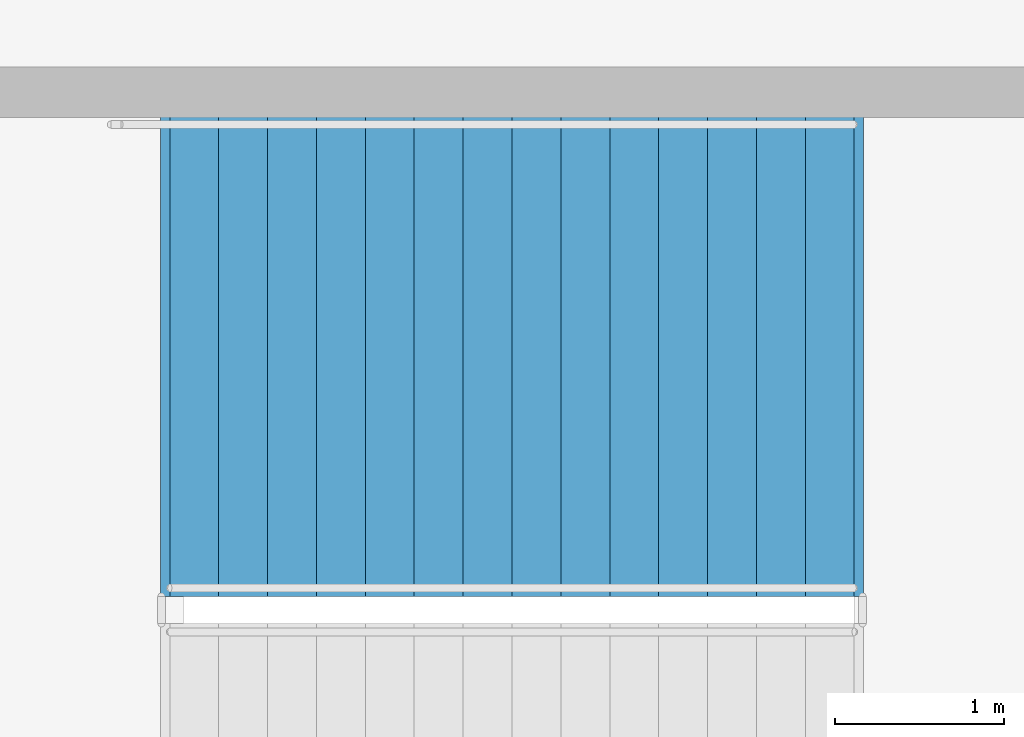
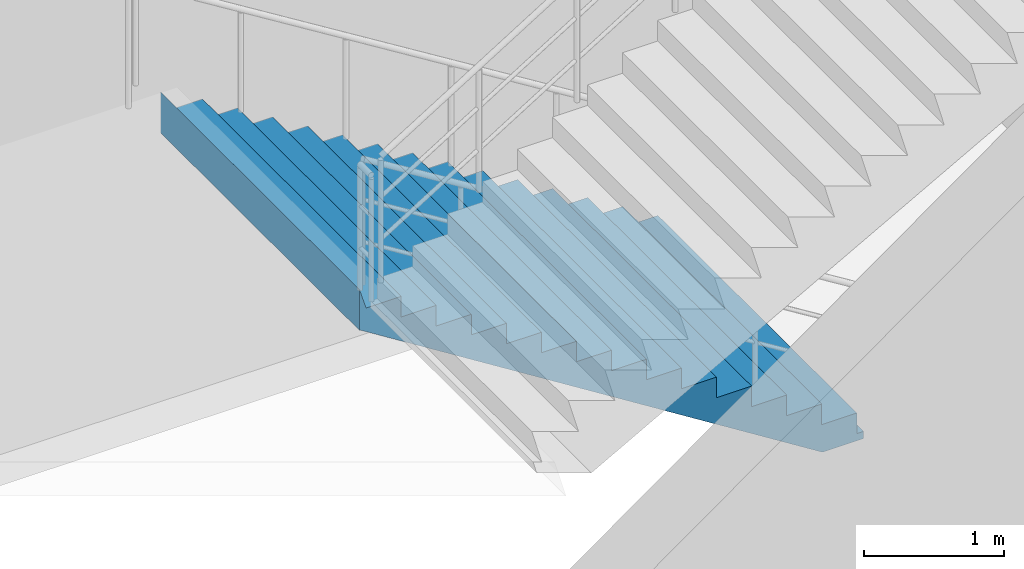
# One storey, part 77 of 93: 1 stair flight, 1 element without a shape of its own.
"""IFC4 building model written with IfcOpenShell, lengths in metres."""

from ifc_helpers import new_model, si_unit, direction, frame, origin, place, context, subcontext, project, spatial, polyline, outline, extrude, material, type_object, element, aggregate, save


model = new_model("IFC4")

# Units and contexts
model_context = context("Model", 3, precision=1e-05, world=origin(), true_north=direction((0.0, 1.0)))
body_context = subcontext(model_context, "Body", "Model", "MODEL_VIEW")
ifc_project = project(units=[si_unit("LENGTHUNIT", "METRE"), si_unit("AREAUNIT", "SQUARE_METRE"), si_unit("VOLUMEUNIT", "CUBIC_METRE"), si_unit("PLANEANGLEUNIT", "RADIAN"), si_unit("MASSUNIT", "GRAM", prefix="KILO")], contexts=[model_context])

# Site, building, storey
site_placement = place(None, origin())
site = spatial("IfcSite", under=ifc_project, at=site_placement, CompositionType="ELEMENT")
building_placement = place(site_placement, origin())
building = spatial("IfcBuilding", under=site, at=building_placement, Name="Cinderbank Siding Concert Hall", CompositionType="ELEMENT")
storey_placement = place(building_placement, origin())
storey = spatial("IfcBuildingStorey", under=building, at=storey_placement, Name="L01", CompositionType="ELEMENT", Elevation=0.0)

# Stair, stair flight
ifc_material = material(Name="Reinforced concrete AS 3600 N50 (50 MPa)", Category="concrete")
stair_type = type_object("IfcStairType", Name="STR-J Dogleg Exit Stair 2850mm", PredefinedType="HALF_TURN_STAIR", material=ifc_material)
stair_placement = place(storey_placement, origin())
stair = element("IfcStair", 1, at=stair_placement, inside=storey, type_object=stair_type, Name="L01 East Link South Exit Stair ST-12", PredefinedType="HALF_TURN_STAIR")
stair_flight_type = type_object("IfcStairFlightType", Name="SFL-J Concrete Stair Flight 2850mm", PredefinedType="STRAIGHT", material=ifc_material)
stair_flight_placement = place(storey_placement, frame((160.85009765625, 63.284912109375, 0.0), z_axis=(0.0, 0.0, 1.0), x_axis=(-1.0, 0.0, 0.0)))
stair_flight = element("IfcStairFlight", 2, at=stair_flight_placement, type_object=stair_flight_type, Name="ST-12 flight 1", NumberOfRisers=15, NumberOfTreads=14, PredefinedType="STRAIGHT", RiserHeight=0.18, TreadLength=0.29, context=body_context, shape_type="SweptSolid", body=[
    extrude(outline(polyline([(0.0, 0.0), (0.0, 0.179931640625), (0.2900390625, 0.179931640625), (0.2900390625, 0.360107421875), (0.580078125, 0.360107421875), (0.580078125, 0.5400390625), (0.8701171875, 0.5400390625), (0.8701171875, 0.719970703125), (1.159912109375, 0.719970703125), (1.159912109375, 0.89990234375), (1.449951171875, 0.89990234375), (1.449951171875, 1.080078125), (1.739990234375, 1.080078125), (1.739990234375, 1.260009765625), (2.030029296875, 1.260009765625), (2.030029296875, 1.43994140625), (2.320068359375, 1.43994140625), (2.320068359375, 1.6201171875), (2.610107421875, 1.6201171875), (2.610107421875, 1.800048828125), (2.89990234375, 1.800048828125), (2.89990234375, 1.97998046875), (3.18994140625, 1.97998046875), (3.18994140625, 2.159912109375), (3.47998046875, 2.159912109375), (3.47998046875, 2.340087890625), (3.77001953125, 2.340087890625), (3.77001953125, 2.52001953125), (4.06005859375, 2.52001953125), (4.114990234375, 2.699951171875), (4.114990234375, 2.343505859375), (4.11474609375, 2.34375), (4.11474609375, 2.343994140625), (4.11474609375, 2.34423828125), (4.11474609375, 2.344482421875), (4.11474609375, 2.3447265625), (4.11474609375, 2.344970703125), (4.11474609375, 2.34521484375), (4.11474609375, 2.345458984375), (4.11474609375, 2.345703125), (4.11474609375, 2.345947265625), (4.11474609375, 2.34619140625), (4.11474609375, 2.346435546875), (4.114501953125, 2.346435546875), (4.114501953125, 2.34619140625), (4.114501953125, 2.345947265625), (4.114501953125, 2.345703125), (4.114501953125, 2.345458984375), (4.114501953125, 2.34521484375), (4.114501953125, 2.344970703125), (4.114501953125, 2.3447265625), (4.114501953125, 2.344482421875), (4.114501953125, 2.34423828125), (4.114501953125, 2.343994140625), (4.114501953125, 2.34375), (4.114501953125, 2.343505859375), (4.1142578125, 2.34375), (4.1142578125, 2.343994140625), (4.1142578125, 2.34423828125), (4.1142578125, 2.344482421875), (4.1142578125, 2.3447265625), (4.1142578125, 2.344970703125), (4.1142578125, 2.34521484375), (4.1142578125, 2.345458984375), (4.1142578125, 2.345703125), (4.1142578125, 2.345947265625), (4.1142578125, 2.34619140625), (4.1142578125, 2.346435546875), (4.114013671875, 2.346435546875), (4.114013671875, 2.34619140625), (4.114013671875, 2.345947265625), (4.114013671875, 2.345703125), (4.114013671875, 2.345458984375), (4.114013671875, 2.34521484375), (4.114013671875, 2.344970703125), (4.114013671875, 2.3447265625), (4.114013671875, 2.344482421875), (4.114013671875, 2.34423828125), (4.114013671875, 2.343994140625), (4.114013671875, 2.34375), (4.114013671875, 2.343505859375), (4.11376953125, 2.34375), (4.11376953125, 2.343994140625), (4.11376953125, 2.34423828125), (4.11376953125, 2.344482421875), (4.11376953125, 2.3447265625), (4.11376953125, 2.344970703125), (4.11376953125, 2.34521484375), (4.11376953125, 2.345458984375), (4.11376953125, 2.345703125), (4.11376953125, 2.345947265625), (4.11376953125, 2.34619140625), (4.11376953125, 2.346435546875), (4.113525390625, 2.346435546875), (4.113525390625, 2.34619140625), (4.113525390625, 2.345947265625), (4.113525390625, 2.345703125), (4.113525390625, 2.345458984375), (4.113525390625, 2.34521484375), (4.113525390625, 2.344970703125), (4.113525390625, 2.3447265625), (4.113525390625, 2.344482421875), (4.113525390625, 2.34423828125), (4.113525390625, 2.343994140625), (4.113525390625, 2.34375), (4.113525390625, 2.343505859375), (4.11328125, 2.34375), (4.11328125, 2.343994140625), (4.11328125, 2.34423828125), (4.11328125, 2.344482421875), (4.11328125, 2.3447265625), (4.11328125, 2.344970703125), (4.11328125, 2.34521484375), (4.11328125, 2.345458984375), (4.11328125, 2.345703125), (4.11328125, 2.345947265625), (4.11328125, 2.34619140625), (4.11328125, 2.346435546875), (4.113037109375, 2.346435546875), (4.113037109375, 2.34619140625), (4.113037109375, 2.345947265625), (4.113037109375, 2.345703125), (4.113037109375, 2.345458984375), (4.113037109375, 2.34521484375), (4.113037109375, 2.344970703125), (4.113037109375, 2.3447265625), (4.113037109375, 2.344482421875), (4.113037109375, 2.34423828125), (4.113037109375, 2.343994140625), (4.113037109375, 2.34375), (4.113037109375, 2.343505859375), (4.11279296875, 2.34375), (4.11279296875, 2.343994140625), (4.11279296875, 2.34423828125), (4.11279296875, 2.344482421875), (4.11279296875, 2.3447265625), (4.11279296875, 2.344970703125), (4.11279296875, 2.34521484375), (4.11279296875, 2.345458984375), (4.11279296875, 2.345703125), (4.11279296875, 2.345947265625), (4.11279296875, 2.34619140625), (4.11279296875, 2.346435546875), (4.112548828125, 2.346435546875), (4.112548828125, 2.34619140625), (4.112548828125, 2.345947265625), (4.112548828125, 2.345703125), (4.112548828125, 2.345458984375), (4.112548828125, 2.34521484375), (4.112548828125, 2.344970703125), (4.112548828125, 2.3447265625), (4.112548828125, 2.344482421875), (4.112548828125, 2.34423828125), (4.112548828125, 2.343994140625), (4.112548828125, 2.34375), (4.112548828125, 2.343505859375), (4.1123046875, 2.34375), (4.1123046875, 2.343994140625), (4.1123046875, 2.34423828125), (4.1123046875, 2.344482421875), (4.1123046875, 2.3447265625), (4.1123046875, 2.344970703125), (4.1123046875, 2.34521484375), (4.1123046875, 2.345458984375), (4.1123046875, 2.345703125), (4.1123046875, 2.345947265625), (4.1123046875, 2.34619140625), (4.1123046875, 2.346435546875), (4.112060546875, 2.346435546875), (4.112060546875, 2.34619140625), (4.112060546875, 2.345947265625), (4.112060546875, 2.345703125), (4.112060546875, 2.345458984375), (4.112060546875, 2.34521484375), (4.112060546875, 2.344970703125), (4.112060546875, 2.3447265625), (4.112060546875, 2.344482421875), (4.112060546875, 2.34423828125), (4.112060546875, 2.343994140625), (4.112060546875, 2.34375), (4.112060546875, 2.343505859375), (4.11181640625, 2.34375), (4.11181640625, 2.343994140625), (4.11181640625, 2.34423828125), (4.11181640625, 2.344482421875), (4.11181640625, 2.3447265625), (4.11181640625, 2.344970703125), (4.11181640625, 2.34521484375), (4.11181640625, 2.345458984375), (4.11181640625, 2.345703125), (4.11181640625, 2.345947265625), (4.11181640625, 2.34619140625), (4.11181640625, 2.346435546875), (4.111572265625, 2.346435546875), (4.111572265625, 2.34619140625), (4.111572265625, 2.345947265625), (4.111572265625, 2.345703125), (4.111572265625, 2.345458984375), (4.111572265625, 2.34521484375), (4.111572265625, 2.344970703125), (4.111572265625, 2.3447265625), (4.111572265625, 2.344482421875), (4.111572265625, 2.34423828125), (4.111572265625, 2.343994140625), (4.111572265625, 2.34375), (4.111572265625, 2.343505859375), (4.111328125, 2.34375), (4.111328125, 2.343994140625), (4.111328125, 2.34423828125), (4.111328125, 2.344482421875), (4.111328125, 2.3447265625), (4.111328125, 2.344970703125), (4.111328125, 2.34521484375), (4.111328125, 2.345458984375), (4.111328125, 2.345703125), (4.111328125, 2.345947265625), (4.111328125, 2.34619140625), (4.111328125, 2.346435546875), (4.111083984375, 2.346435546875), (4.111083984375, 2.34619140625), (4.111083984375, 2.345947265625), (4.111083984375, 2.345703125), (4.111083984375, 2.345458984375), (4.111083984375, 2.34521484375), (4.111083984375, 2.344970703125), (4.111083984375, 2.3447265625), (4.111083984375, 2.344482421875), (4.111083984375, 2.34423828125), (4.111083984375, 2.343994140625), (4.111083984375, 2.34375), (4.111083984375, 2.343505859375), (4.11083984375, 2.34375), (4.11083984375, 2.343994140625), (4.11083984375, 2.34423828125), (4.11083984375, 2.344482421875), (4.11083984375, 2.3447265625), (4.11083984375, 2.344970703125), (4.11083984375, 2.34521484375), (4.11083984375, 2.345458984375), (4.11083984375, 2.345703125), (4.11083984375, 2.345947265625), (4.11083984375, 2.34619140625), (4.11083984375, 2.346435546875), (4.110595703125, 2.346435546875), (4.110595703125, 2.34619140625), (4.110595703125, 2.345947265625), (4.110595703125, 2.345703125), (4.110595703125, 2.345458984375), (4.110595703125, 2.34521484375), (4.110595703125, 2.344970703125), (4.110595703125, 2.3447265625), (4.110595703125, 2.344482421875), (4.110595703125, 2.34423828125), (4.110595703125, 2.343994140625), (4.110595703125, 2.34375), (4.110595703125, 2.343505859375), (4.1103515625, 2.34375), (4.1103515625, 2.343994140625), (4.1103515625, 2.34423828125), (4.1103515625, 2.344482421875), (4.1103515625, 2.3447265625), (4.1103515625, 2.344970703125), (4.1103515625, 2.34521484375), (4.1103515625, 2.345458984375), (4.1103515625, 2.345703125), (4.1103515625, 2.345947265625), (4.1103515625, 2.34619140625), (4.1103515625, 2.346435546875), (4.110107421875, 2.346435546875), (4.110107421875, 2.34619140625), (4.110107421875, 2.345947265625), (4.110107421875, 2.345703125), (4.110107421875, 2.345458984375), (4.110107421875, 2.34521484375), (4.110107421875, 2.344970703125), (4.110107421875, 2.3447265625), (4.110107421875, 2.344482421875), (4.110107421875, 2.34423828125), (4.110107421875, 2.343994140625), (4.110107421875, 2.34375), (4.110107421875, 2.343505859375), (4.10986328125, 2.34375), (4.10986328125, 2.343994140625), (4.10986328125, 2.34423828125), (4.10986328125, 2.344482421875), (4.10986328125, 2.3447265625), (4.10986328125, 2.344970703125), (4.10986328125, 2.34521484375), (4.10986328125, 2.345458984375), (4.10986328125, 2.345703125), (4.10986328125, 2.345947265625), (4.10986328125, 2.34619140625), (4.10986328125, 2.346435546875), (4.109619140625, 2.346435546875), (4.109619140625, 2.34619140625), (4.109619140625, 2.345947265625), (4.109619140625, 2.345703125), (4.109619140625, 2.345458984375), (4.109619140625, 2.34521484375), (4.109619140625, 2.344970703125), (4.109619140625, 2.3447265625), (4.109619140625, 2.344482421875), (4.109619140625, 2.34423828125), (4.109619140625, 2.343994140625), (4.109619140625, 2.34375), (4.109619140625, 2.343505859375), (4.109375, 2.34375), (4.109375, 2.343994140625), (4.109375, 2.34423828125), (4.109375, 2.344482421875), (4.109375, 2.3447265625), (4.109375, 2.344970703125), (4.109375, 2.34521484375), (4.109375, 2.345458984375), (4.109375, 2.345703125), (4.109375, 2.345947265625), (4.109375, 2.34619140625), (4.109375, 2.346435546875), (4.109130859375, 2.346435546875), (4.109130859375, 2.34619140625), (4.109130859375, 2.345947265625), (4.109130859375, 2.345703125), (4.109130859375, 2.345458984375), (4.109130859375, 2.34521484375), (4.109130859375, 2.344970703125), (4.109130859375, 2.3447265625), (4.109130859375, 2.344482421875), (4.109130859375, 2.34423828125), (4.109130859375, 2.343994140625), (4.109130859375, 2.34375), (4.109130859375, 2.343505859375), (4.10888671875, 2.34375), (4.10888671875, 2.343994140625), (4.10888671875, 2.34423828125), (4.10888671875, 2.344482421875), (4.10888671875, 2.3447265625), (4.10888671875, 2.344970703125), (4.10888671875, 2.34521484375), (4.10888671875, 2.345458984375), (4.10888671875, 2.345703125), (4.10888671875, 2.345947265625), (4.10888671875, 2.34619140625), (4.10888671875, 2.346435546875), (4.108642578125, 2.346435546875), (4.108642578125, 2.34619140625), (4.108642578125, 2.345947265625), (4.108642578125, 2.345703125), (4.108642578125, 2.345458984375), (4.108642578125, 2.34521484375), (4.108642578125, 2.344970703125), (4.108642578125, 2.3447265625), (4.108642578125, 2.344482421875), (4.108642578125, 2.34423828125), (4.108642578125, 2.343994140625), (4.108642578125, 2.34375), (4.108642578125, 2.343505859375), (0.2841796875, -0.06396484375), (-0.048583984375, -0.063720703125), (-0.048583984375, -0.0634765625), (-0.048583984375, -0.063232421875), (-0.048583984375, -0.06298828125), (-0.048583984375, -0.062744140625), (-0.048583984375, -0.0625), (-0.048583984375, -0.062255859375), (-0.048583984375, -0.06201171875), (-0.048583984375, -0.061767578125), (-0.048583984375, -0.0615234375), (-0.048583984375, -0.061279296875), (-0.048583984375, -0.06103515625), (-0.048828125, -0.06103515625), (-0.048828125, -0.061279296875), (-0.048828125, -0.0615234375), (-0.048828125, -0.061767578125), (-0.048828125, -0.06201171875), (-0.048828125, -0.062255859375), (-0.048828125, -0.0625), (-0.048828125, -0.062744140625), (-0.048828125, -0.06298828125), (-0.048828125, -0.063232421875), (-0.048828125, -0.0634765625), (-0.048828125, -0.063720703125), (-0.048828125, -0.06396484375), (-0.049072265625, -0.063720703125), (-0.049072265625, -0.0634765625), (-0.049072265625, -0.063232421875), (-0.049072265625, -0.06298828125), (-0.049072265625, -0.062744140625), (-0.049072265625, -0.0625), (-0.049072265625, -0.062255859375), (-0.049072265625, -0.06201171875), (-0.049072265625, -0.061767578125), (-0.049072265625, -0.0615234375), (-0.049072265625, -0.061279296875), (-0.049072265625, -0.06103515625), (-0.04931640625, -0.06103515625), (-0.04931640625, -0.061279296875), (-0.04931640625, -0.0615234375), (-0.04931640625, -0.061767578125), (-0.04931640625, -0.06201171875), (-0.04931640625, -0.062255859375), (-0.04931640625, -0.0625), (-0.04931640625, -0.062744140625), (-0.04931640625, -0.06298828125), (-0.04931640625, -0.063232421875), (-0.04931640625, -0.0634765625), (-0.04931640625, -0.063720703125), (-0.04931640625, -0.06396484375), (-0.049560546875, -0.063720703125), (-0.049560546875, -0.0634765625), (-0.049560546875, -0.063232421875), (-0.049560546875, -0.06298828125), (-0.049560546875, -0.062744140625), (-0.049560546875, -0.0625), (-0.049560546875, -0.062255859375), (-0.049560546875, -0.06201171875), (-0.049560546875, -0.061767578125), (-0.049560546875, -0.0615234375), (-0.049560546875, -0.061279296875), (-0.049560546875, -0.06103515625), (-0.0498046875, -0.06103515625), (-0.0498046875, -0.061279296875), (-0.0498046875, -0.0615234375), (-0.0498046875, -0.061767578125), (-0.0498046875, -0.06201171875), (-0.0498046875, -0.062255859375), (-0.0498046875, -0.0625), (-0.0498046875, -0.062744140625), (-0.0498046875, -0.06298828125), (-0.0498046875, -0.063232421875), (-0.0498046875, -0.0634765625), (-0.0498046875, -0.063720703125), (-0.0498046875, -0.06396484375), (-0.050048828125, -0.063720703125), (-0.050048828125, -0.0634765625), (-0.050048828125, -0.063232421875), (-0.050048828125, -0.06298828125), (-0.050048828125, -0.062744140625), (-0.050048828125, -0.0625), (-0.050048828125, -0.062255859375), (-0.050048828125, -0.06201171875), (-0.050048828125, -0.061767578125), (-0.050048828125, -0.0615234375), (-0.050048828125, -0.061279296875), (-0.050048828125, -0.06103515625), (-0.05029296875, -0.06103515625), (-0.05029296875, -0.061279296875), (-0.05029296875, -0.0615234375), (-0.05029296875, -0.061767578125), (-0.05029296875, -0.06201171875), (-0.05029296875, -0.062255859375), (-0.05029296875, -0.0625), (-0.05029296875, -0.062744140625), (-0.05029296875, -0.06298828125), (-0.05029296875, -0.063232421875), (-0.05029296875, -0.0634765625), (-0.05029296875, -0.063720703125), (-0.05029296875, -0.06396484375), (-0.050537109375, -0.063720703125), (-0.050537109375, -0.0634765625), (-0.050537109375, -0.063232421875), (-0.050537109375, -0.06298828125), (-0.050537109375, -0.062744140625), (-0.050537109375, -0.0625), (-0.050537109375, -0.062255859375), (-0.050537109375, -0.06201171875), (-0.050537109375, -0.061767578125), (-0.050537109375, -0.0615234375), (-0.050537109375, -0.061279296875), (-0.050537109375, -0.06103515625), (-0.05078125, -0.06103515625), (-0.05078125, -0.061279296875), (-0.05078125, -0.0615234375), (-0.05078125, -0.061767578125), (-0.05078125, -0.06201171875), (-0.05078125, -0.062255859375), (-0.05078125, -0.0625), (-0.05078125, -0.062744140625), (-0.05078125, -0.06298828125), (-0.05078125, -0.063232421875), (-0.05078125, -0.0634765625), (-0.05078125, -0.063720703125), (-0.05078125, -0.06396484375), (-0.051025390625, -0.063720703125), (-0.051025390625, -0.0634765625), (-0.051025390625, -0.063232421875), (-0.051025390625, -0.06298828125), (-0.051025390625, -0.062744140625), (-0.051025390625, -0.0625), (-0.051025390625, -0.062255859375), (-0.051025390625, -0.06201171875), (-0.051025390625, -0.061767578125), (-0.051025390625, -0.0615234375), (-0.051025390625, -0.061279296875), (-0.051025390625, -0.06103515625), (-0.05126953125, -0.06103515625), (-0.05126953125, -0.061279296875), (-0.05126953125, -0.0615234375), (-0.05126953125, -0.061767578125), (-0.05126953125, -0.06201171875), (-0.05126953125, -0.062255859375), (-0.05126953125, -0.0625), (-0.05126953125, -0.062744140625), (-0.05126953125, -0.06298828125), (-0.05126953125, -0.063232421875), (-0.05126953125, -0.0634765625), (-0.05126953125, -0.063720703125), (-0.05126953125, -0.06396484375), (-0.051513671875, -0.063720703125), (-0.051513671875, -0.0634765625), (-0.051513671875, -0.063232421875), (-0.051513671875, -0.06298828125), (-0.051513671875, -0.062744140625), (-0.051513671875, -0.0625), (-0.051513671875, -0.062255859375), (-0.051513671875, -0.06201171875), (-0.051513671875, -0.061767578125), (-0.051513671875, -0.0615234375), (-0.051513671875, -0.061279296875), (-0.051513671875, -0.06103515625), (-0.0517578125, -0.06103515625), (-0.0517578125, -0.061279296875), (-0.0517578125, -0.0615234375), (-0.0517578125, -0.061767578125), (-0.0517578125, -0.06201171875), (-0.0517578125, -0.062255859375), (-0.0517578125, -0.0625), (-0.0517578125, -0.062744140625), (-0.0517578125, -0.06298828125), (-0.0517578125, -0.063232421875), (-0.0517578125, -0.0634765625), (-0.0517578125, -0.063720703125), (-0.0517578125, -0.06396484375), (-0.052001953125, -0.063720703125), (-0.052001953125, -0.0634765625), (-0.052001953125, -0.063232421875), (-0.052001953125, -0.06298828125), (-0.052001953125, -0.062744140625), (-0.052001953125, -0.0625), (-0.052001953125, -0.062255859375), (-0.052001953125, -0.06201171875), (-0.052001953125, -0.061767578125), (-0.052001953125, -0.0615234375), (-0.052001953125, -0.061279296875), (-0.052001953125, -0.06103515625), (-0.05224609375, -0.06103515625), (-0.05224609375, -0.061279296875), (-0.05224609375, -0.0615234375), (-0.05224609375, -0.061767578125), (-0.05224609375, -0.06201171875), (-0.05224609375, -0.062255859375), (-0.05224609375, -0.0625), (-0.05224609375, -0.062744140625), (-0.05224609375, -0.06298828125), (-0.05224609375, -0.063232421875), (-0.05224609375, -0.0634765625), (-0.05224609375, -0.063720703125), (-0.05224609375, -0.06396484375), (-0.052490234375, -0.063720703125), (-0.052490234375, -0.0634765625), (-0.052490234375, -0.063232421875), (-0.052490234375, -0.06298828125), (-0.052490234375, -0.062744140625), (-0.052490234375, -0.0625), (-0.052490234375, -0.062255859375), (-0.052490234375, -0.06201171875), (-0.052490234375, -0.061767578125), (-0.052490234375, -0.0615234375), (-0.052490234375, -0.061279296875), (-0.052490234375, -0.06103515625), (-0.052734375, -0.06103515625), (-0.052734375, -0.061279296875), (-0.052734375, -0.0615234375), (-0.052734375, -0.061767578125), (-0.052734375, -0.06201171875), (-0.052734375, -0.062255859375), (-0.052734375, -0.0625), (-0.052734375, -0.062744140625), (-0.052734375, -0.06298828125), (-0.052734375, -0.063232421875), (-0.052734375, -0.0634765625), (-0.052734375, -0.063720703125), (-0.052734375, -0.06396484375), (-0.052978515625, -0.063720703125), (-0.052978515625, -0.0634765625), (-0.052978515625, -0.063232421875), (-0.052978515625, -0.06298828125), (-0.052978515625, -0.062744140625), (-0.052978515625, -0.0625), (-0.052978515625, -0.062255859375), (-0.052978515625, -0.06201171875), (-0.052978515625, -0.061767578125), (-0.052978515625, -0.0615234375), (-0.052978515625, -0.061279296875), (-0.052978515625, -0.06103515625), (-0.05322265625, -0.06103515625), (-0.05322265625, -0.061279296875), (-0.05322265625, -0.0615234375), (-0.05322265625, -0.061767578125), (-0.05322265625, -0.06201171875), (-0.05322265625, -0.062255859375), (-0.05322265625, -0.0625), (-0.05322265625, -0.062744140625), (-0.05322265625, -0.06298828125), (-0.05322265625, -0.063232421875), (-0.05322265625, -0.0634765625), (-0.05322265625, -0.063720703125), (-0.05322265625, -0.06396484375), (-0.053466796875, -0.063720703125), (-0.053466796875, -0.0634765625), (-0.053466796875, -0.063232421875), (-0.053466796875, -0.06298828125), (-0.053466796875, -0.062744140625), (-0.053466796875, -0.0625), (-0.053466796875, -0.062255859375), (-0.053466796875, -0.06201171875), (-0.053466796875, -0.061767578125), (-0.053466796875, -0.0615234375), (-0.053466796875, -0.061279296875), (-0.053466796875, -0.06103515625), (-0.0537109375, -0.06103515625), (-0.0537109375, -0.061279296875), (-0.0537109375, -0.0615234375), (-0.0537109375, -0.061767578125), (-0.0537109375, -0.06201171875), (-0.0537109375, -0.062255859375), (-0.0537109375, -0.0625), (-0.0537109375, -0.062744140625), (-0.0537109375, -0.06298828125), (-0.0537109375, -0.063232421875), (-0.0537109375, -0.0634765625), (-0.0537109375, -0.063720703125), (-0.0537109375, -0.06396484375), (-0.053955078125, -0.063720703125), (-0.053955078125, -0.0634765625), (-0.053955078125, -0.063232421875), (-0.053955078125, -0.06298828125), (-0.053955078125, -0.062744140625), (-0.053955078125, -0.0625), (-0.053955078125, -0.062255859375), (-0.053955078125, -0.06201171875), (-0.053955078125, -0.061767578125), (-0.053955078125, -0.0615234375), (-0.053955078125, -0.061279296875), (-0.053955078125, -0.06103515625), (-0.05419921875, -0.06103515625), (-0.05419921875, -0.061279296875), (-0.05419921875, -0.0615234375), (-0.05419921875, -0.061767578125), (-0.05419921875, -0.06201171875), (-0.05419921875, -0.062255859375), (-0.05419921875, -0.0625), (-0.05419921875, -0.062744140625), (-0.05419921875, -0.06298828125), (-0.05419921875, -0.063232421875), (-0.05419921875, -0.0634765625), (-0.05419921875, -0.063720703125), (-0.05419921875, -0.06396484375), (-0.054443359375, -0.063720703125), (-0.054443359375, -0.0634765625), (-0.054443359375, -0.063232421875), (-0.054443359375, -0.06298828125), (-0.054443359375, -0.062744140625), (-0.054443359375, -0.0625), (-0.054443359375, -0.062255859375), (-0.054443359375, -0.06201171875), (-0.054443359375, -0.061767578125), (-0.054443359375, -0.0615234375), (-0.054443359375, -0.061279296875), (-0.054443359375, -0.06103515625), (-0.0546875, -0.06103515625), (-0.0546875, -0.061279296875), (-0.0546875, -0.0615234375), (-0.0546875, -0.061767578125), (-0.0546875, -0.06201171875), (-0.0546875, -0.062255859375), (-0.0546875, -0.0625), (-0.0546875, -0.062744140625), (-0.0546875, -0.06298828125), (-0.0546875, -0.063232421875), (-0.0546875, -0.0634765625), (-0.0546875, -0.063720703125), (-0.0546875, -0.06396484375), (-0.054931640625, -0.06396484375), (-0.054931640625, 0.0), (0.0, 0.0)])), frame((0.0, 1.425048828125, 0.0), z_axis=(0.0, -1.0, 0.0), x_axis=(1.0, 0.0, 0.0)), (0.0, 0.0, 1.0), 2.85009765625),
])
aggregate(stair, [stair_flight])

save(model, "model.ifc")
